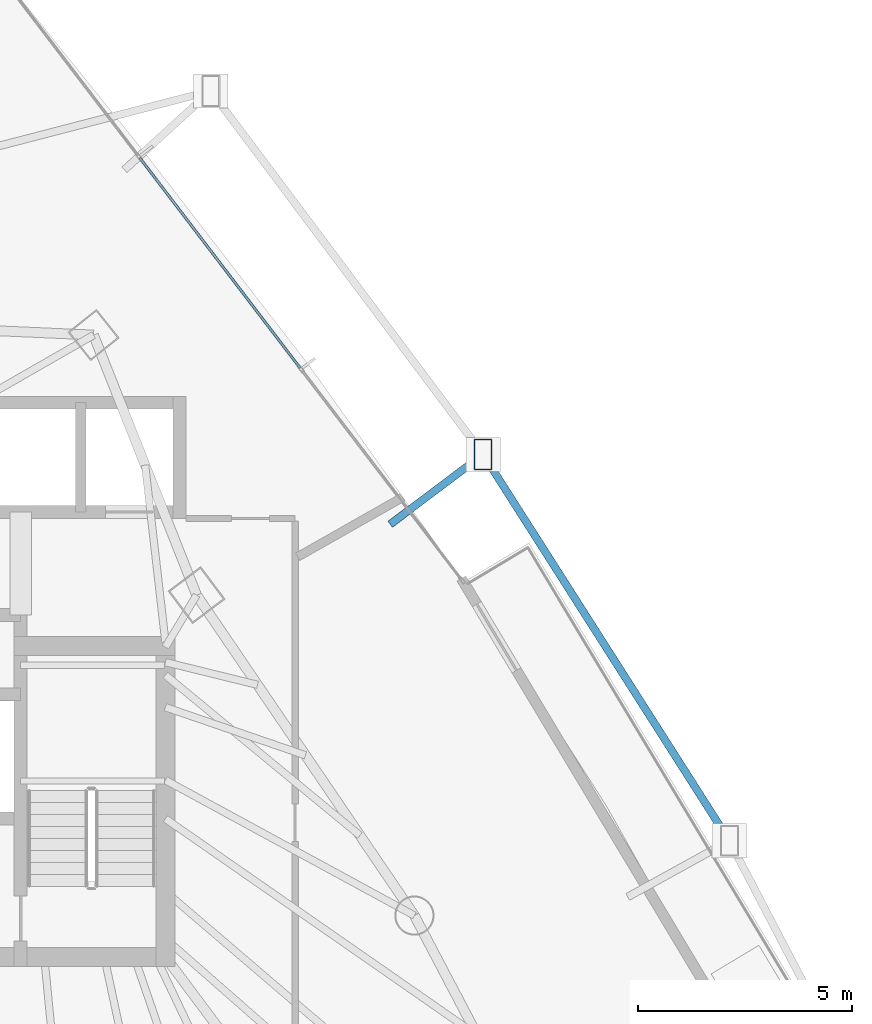
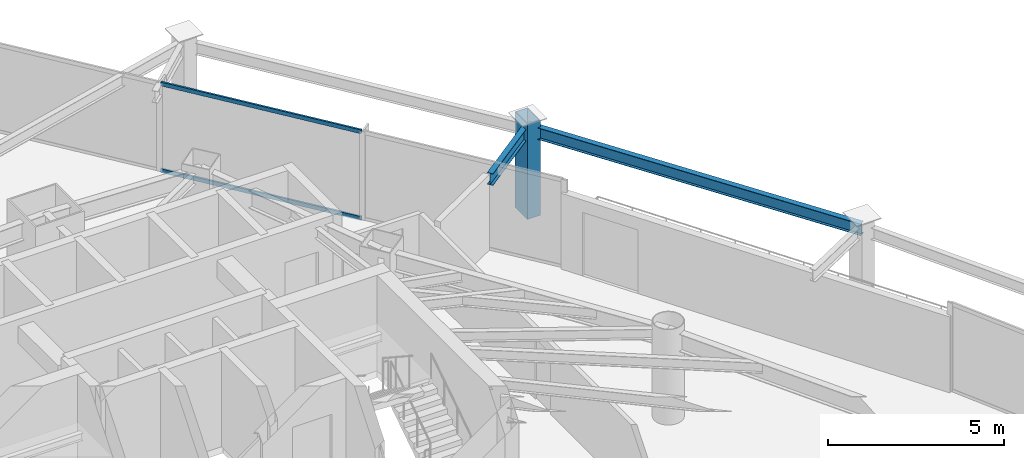
# One storey, part 25 of 33: 3 members, 2 beams, 1 element without a shape of its own.
"""IFC4 building model written with IfcOpenShell, lengths in metres."""

from ifc_helpers import new_model, si_unit, direction, frame, origin, origin_2d, place, context, subcontext, project, spatial, hollow_rectangle, i_section, extrude, material, layer, layer_set, material_profile, profile_set, type_object, element, aggregate, save


model = new_model("IFC4")

# Units and contexts
model_context = context("Model", 3, precision=1e-05, world=origin(), true_north=direction((0.0, 1.0)))
body_context = subcontext(model_context, "Body", "Model", "MODEL_VIEW")
ifc_project = project(units=[si_unit("LENGTHUNIT", "METRE"), si_unit("AREAUNIT", "SQUARE_METRE"), si_unit("VOLUMEUNIT", "CUBIC_METRE"), si_unit("PLANEANGLEUNIT", "RADIAN"), si_unit("MASSUNIT", "GRAM", prefix="KILO")], contexts=[model_context])

# Site, building, storey
site_placement = place(None, origin())
site = spatial("IfcSite", under=ifc_project, at=site_placement, CompositionType="ELEMENT")
building_placement = place(site_placement, origin())
building = spatial("IfcBuilding", under=site, at=building_placement, Name="Orvanel Arch Residences", CompositionType="ELEMENT")
storey_placement = place(building_placement, frame((0.0, 0.0, 70.85009765625)))
storey = spatial("IfcBuildingStorey", under=building, at=storey_placement, Name="L19", CompositionType="ELEMENT", Elevation=70.85009765625)

# Member
ifc_material_1 = material(Name="Structural steel AS/NZS 3678 Grade 350", Category="steel")
ifc_material_profile_1 = material_profile(ifc_material_1, hollow_rectangle(XDim=0.419921875, YDim=0.719970703125, WallThickness=0.02490234375, at=origin_2d()), Name="RHS720x420x25")
ifc_profile_set_1 = profile_set([ifc_material_profile_1], Name="Structural steel AS/NZS 3678 Grade 350")
member_type_1 = type_object("IfcMemberType", Name="CH-720RHS-EXT", PredefinedType="CHORD", material=ifc_profile_set_1)
member_1_placement = place(storey_placement, frame((47.033935546875, 38.39404296875, 0.0), z_axis=(0.0, 0.0, 1.0), x_axis=(1.0, 0.0, 0.0)))
element("IfcMember", 1, at=member_1_placement, inside=storey, type_object=member_type_1, Name="L19 Outer Perimeter Frame Post 11", PredefinedType="CHORD", context=body_context, shape_type="SweptSolid", body=[
    extrude(hollow_rectangle(XDim=0.419921875, YDim=0.719970703125, WallThickness=0.02490234375, at=origin_2d()), origin(), (0.0, 0.0, 1.0), 3.2998046875),
])

# Beams
ifc_material_2 = material(Name="Structural steel AS/NZS 3679.1 Grade 300 (300 MPa)", Category="steel")
ifc_material_profile_2 = material_profile(ifc_material_2, i_section(OverallWidth=0.177978515625, OverallDepth=0.406005859375, WebThickness=0.0078125, FlangeThickness=0.0126953125, at=origin_2d()), Name="410UB59.7")
ifc_profile_set_2 = profile_set([ifc_material_profile_2], Name="Structural steel AS/NZS 3679.1 Grade 300 (300 MPa)")
beam_type = type_object("IfcBeamType", Name="OB-410UB-EXT", PredefinedType="SPANDREL", material=ifc_profile_set_2)
beam_1_placement = place(storey_placement, frame((52.77587890625, 29.384033203125, 2.85693359375), z_axis=(-0.537428366636, 0.843309403917, 0.0), x_axis=(-0.843309403917, -0.537428366636, 0.0)))
element("IfcBeam", 2, at=beam_1_placement, inside=storey, type_object=beam_type, Name="L19 Outer Perimeter Floor Ring Beam 10", PredefinedType="SPANDREL", context=body_context, shape_type="SweptSolid", body=[
    extrude(i_section(OverallWidth=0.177978515625, OverallDepth=0.406005859375, WebThickness=0.0078125, FlangeThickness=0.0126953125, at=origin_2d()), origin(), (0.0, 0.0, 1.0), 10.68408203125),
])
beam_2_placement = place(storey_placement, frame((44.866943359375, 36.764892578125, 2.85693359375), z_axis=(0.799307863715, 0.600921741164, 0.0), x_axis=(-0.600921741164, 0.799307863715, 0.0)))
element("IfcBeam", 3, at=beam_2_placement, inside=storey, type_object=beam_type, Name="L19 Outer Frame Radial Tie Beam 11", PredefinedType="SPANDREL", context=body_context, shape_type="SweptSolid", body=[
    extrude(i_section(OverallWidth=0.177978515625, OverallDepth=0.406005859375, WebThickness=0.0078125, FlangeThickness=0.0126953125, at=origin_2d()), origin(), (0.0, 0.0, 1.0), 2.711181640625),
])

# Curtain wall, members
ifc_material_3 = material(Name="Bronze-anodised aluminium AA6063-T6", Category="aluminium")
ifc_layer = layer(ifc_material_3, 0.179931640625)
ifc_layer_set = layer_set([ifc_layer], Name="Bronze-anodised aluminium AA6063-T6")
curtain_wall_type = type_object("IfcCurtainWallType", Name="CW2-LOW-SYS", PredefinedType="NOTDEFINED", material=ifc_layer_set)
curtain_wall_placement = place(storey_placement, origin())
curtain_wall = element("IfcCurtainWall", 4, at=curtain_wall_placement, inside=storey, type_object=curtain_wall_type, Name="L19 CW2-LOW-SYS Unitised Curtain Wall", PredefinedType="NOTDEFINED")
ifc_material_profile_3 = material_profile(ifc_material_3, hollow_rectangle(XDim=0.06005859375, YDim=0.135009765625, WallThickness=0.00390625, at=origin_2d()), Name="ALU135x60x4")
ifc_profile_set_3 = profile_set([ifc_material_profile_3], Name="Bronze-anodised aluminium AA6063-T6")
member_type_2 = type_object("IfcMemberType", Name="TRN-135x60", PredefinedType="USERDEFINED", material=ifc_profile_set_3)
member_2_placement = place(storey_placement, frame((42.764404296875, 40.412109375, 0.02978515625), z_axis=(-0.606733307077, 0.794905462356, 0.0), x_axis=(-0.794905462356, -0.606733307077, 0.0)))
member_2 = element("IfcMember", 5, at=member_2_placement, type_object=member_type_2, Name="CW-S2 transom 2.1", ObjectType="TRANSOM", PredefinedType="USERDEFINED", context=body_context, shape_type="SweptSolid", body=[
    extrude(hollow_rectangle(XDim=0.06005859375, YDim=0.135009765625, WallThickness=0.00390625, at=origin_2d()), origin(), (0.0, 0.0, 1.0), 6.158935546875),
])
member_3_placement = place(storey_placement, frame((42.764404296875, 40.412109375, 3.02978515625), z_axis=(-0.606733307077, 0.794905462356, 0.0), x_axis=(-0.794905462356, -0.606733307077, 0.0)))
member_3 = element("IfcMember", 6, at=member_3_placement, type_object=member_type_2, Name="CW-S2 transom 2.2", ObjectType="TRANSOM", PredefinedType="USERDEFINED", context=body_context, shape_type="SweptSolid", body=[
    extrude(hollow_rectangle(XDim=0.06005859375, YDim=0.135009765625, WallThickness=0.00390625, at=origin_2d()), origin(), (0.0, 0.0, 1.0), 6.158935546875),
])
aggregate(curtain_wall, [member_2, member_3])

save(model, "model.ifc")
